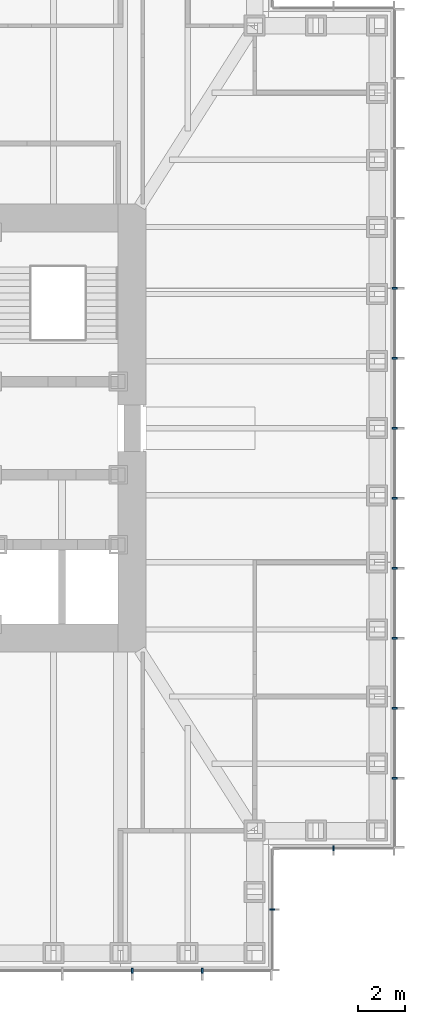
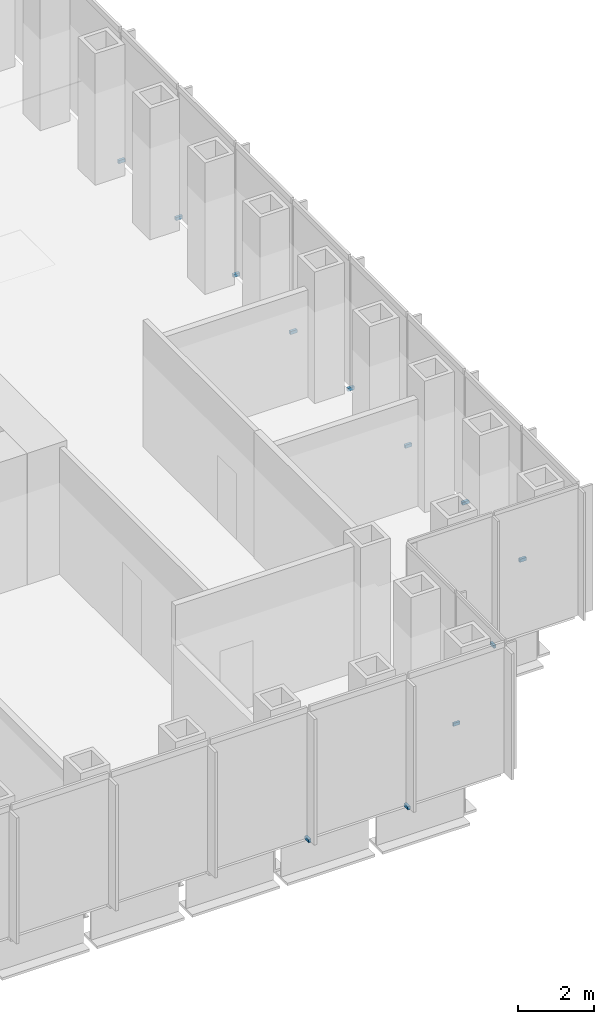
# One storey, part 14 of 17: 12 discrete accessories.
"""IFC4 building model written with IfcOpenShell, lengths in metres."""

from ifc_helpers import new_model, si_unit, direction, frame, origin, origin_2d, place, context, subcontext, project, spatial, rectangle, extrude, element, save


model = new_model("IFC4")

# Units and contexts
model_context = context("Model", 3, precision=1e-05, world=origin(), true_north=direction((0.0, 1.0)))
body_context = subcontext(model_context, "Body", "Model", "MODEL_VIEW")
ifc_project = project(units=[si_unit("LENGTHUNIT", "METRE"), si_unit("AREAUNIT", "SQUARE_METRE"), si_unit("VOLUMEUNIT", "CUBIC_METRE"), si_unit("PLANEANGLEUNIT", "RADIAN"), si_unit("MASSUNIT", "GRAM", prefix="KILO")], contexts=[model_context])

# Site, building, storey
site_placement = place(None, origin())
site = spatial("IfcSite", under=ifc_project, at=site_placement, CompositionType="ELEMENT")
building_placement = place(site_placement, origin())
building = spatial("IfcBuilding", under=site, at=building_placement, Name="Daluyong Arena Tower", CompositionType="ELEMENT")
storey_placement = place(building_placement, frame((0.0, 0.0, 145.89990234375)))
storey = spatial("IfcBuildingStorey", under=building, at=storey_placement, Name="L32", CompositionType="ELEMENT", Elevation=145.89990234375)

# Discrete accessories
for number, where, z_axis, x_axis, name in (
    (1, (68.0, 56.75, -0.099853515625), (0.0, 0.0, 1.0), (1.0, 0.0, 0.0), "curtain wall L32 S anchor bracket 11"),
    (2, (71.0, 56.75, -0.099853515625), (0.0, 0.0, 1.0), (1.0, 0.0, 0.0), "curtain wall L32 S anchor bracket 12"),
):
    element("IfcDiscreteAccessory", number, at=place(storey_placement, frame(where, z_axis=z_axis, x_axis=x_axis)), inside=storey, Name=name, PredefinedType="BRACKET", context=body_context, shape_type="SweptSolid", body=[
        extrude(rectangle(XDim=0.080078125, YDim=0.199951171875, at=origin_2d()), origin(), (0.0, 0.0, 1.0), 0.10009765625),
    ])
for number, where, z_axis, x_axis, name in (
    (3, (74.0, 59.375, -0.099853515625), (0.0, 0.0, 1.0), (0.0, 1.0, 0.0), "curtain wall L32 SE-E anchor bracket 2"),
    (4, (76.625, 62.0, -0.099853515625), (0.0, 0.0, 1.0), (1.0, 0.0, 0.0), "curtain wall L32 SE-S anchor bracket 2"),
):
    element("IfcDiscreteAccessory", number, at=place(storey_placement, frame(where, z_axis=z_axis, x_axis=x_axis)), inside=storey, Name=name, PredefinedType="BRACKET", context=body_context, shape_type="SweptSolid", body=[
        extrude(rectangle(XDim=0.06005859375, YDim=0.199951171875, at=origin_2d()), origin(), (0.0, 0.0, 1.0), 0.10009765625),
    ])
for number, where, z_axis, x_axis, name in (
    (5, (79.25, 65.0, -0.099853515625), (0.0, 0.0, 1.0), (0.0, 1.0, 0.0), "curtain wall L32 E anchor bracket 2"),
    (6, (79.25, 68.0, -0.099853515625), (0.0, 0.0, 1.0), (0.0, 1.0, 0.0), "curtain wall L32 E anchor bracket 3"),
    (7, (79.25, 71.0, -0.099853515625), (0.0, 0.0, 1.0), (0.0, 1.0, 0.0), "curtain wall L32 E anchor bracket 4"),
    (8, (79.25, 74.0, -0.099853515625), (0.0, 0.0, 1.0), (0.0, 1.0, 0.0), "curtain wall L32 E anchor bracket 5"),
    (9, (79.25, 77.0, -0.099853515625), (0.0, 0.0, 1.0), (0.0, 1.0, 0.0), "curtain wall L32 E anchor bracket 6"),
    (10, (79.25, 80.0, -0.099853515625), (0.0, 0.0, 1.0), (0.0, 1.0, 0.0), "curtain wall L32 E anchor bracket 7"),
    (11, (79.25, 83.0, -0.099853515625), (0.0, 0.0, 1.0), (0.0, 1.0, 0.0), "curtain wall L32 E anchor bracket 8"),
    (12, (79.25, 86.0, -0.099853515625), (0.0, 0.0, 1.0), (0.0, 1.0, 0.0), "curtain wall L32 E anchor bracket 9"),
):
    element("IfcDiscreteAccessory", number, at=place(storey_placement, frame(where, z_axis=z_axis, x_axis=x_axis)), inside=storey, Name=name, PredefinedType="BRACKET", context=body_context, shape_type="SweptSolid", body=[
        extrude(rectangle(XDim=0.080078125, YDim=0.199951171875, at=origin_2d()), origin(), (0.0, 0.0, 1.0), 0.10009765625),
    ])

save(model, "model.ifc")
